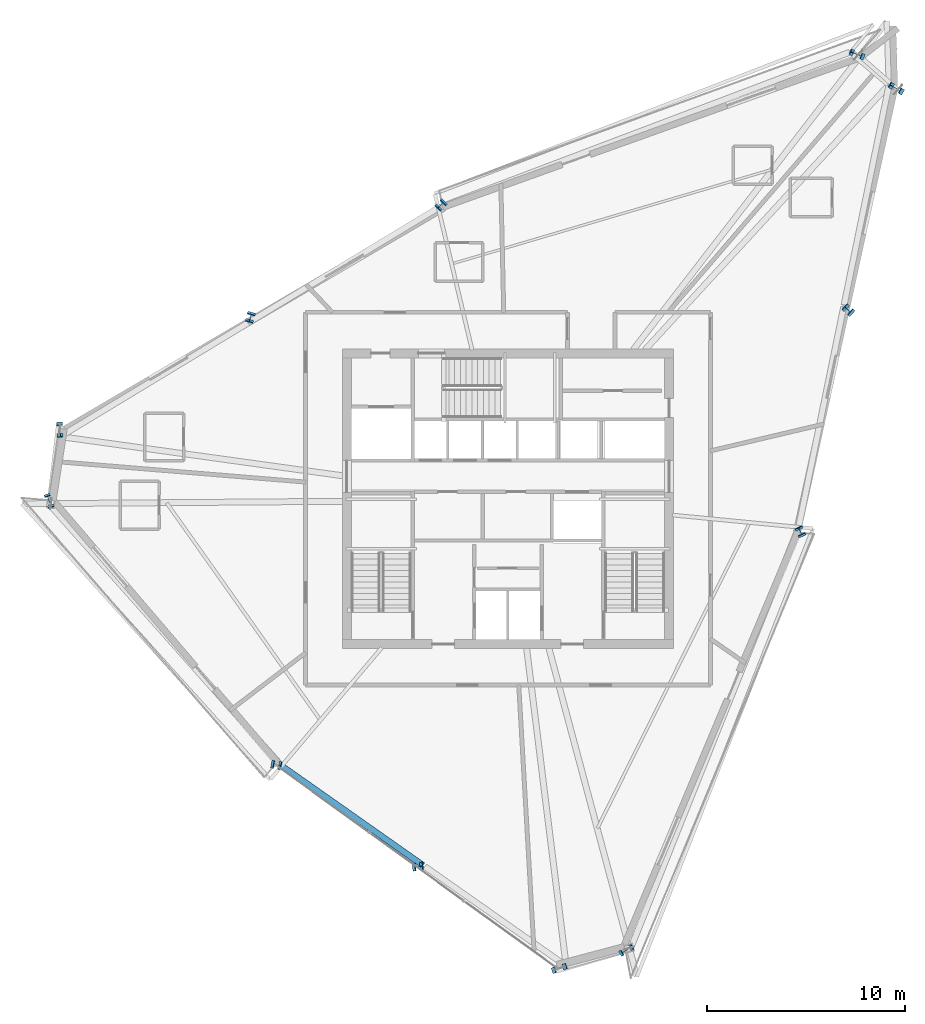
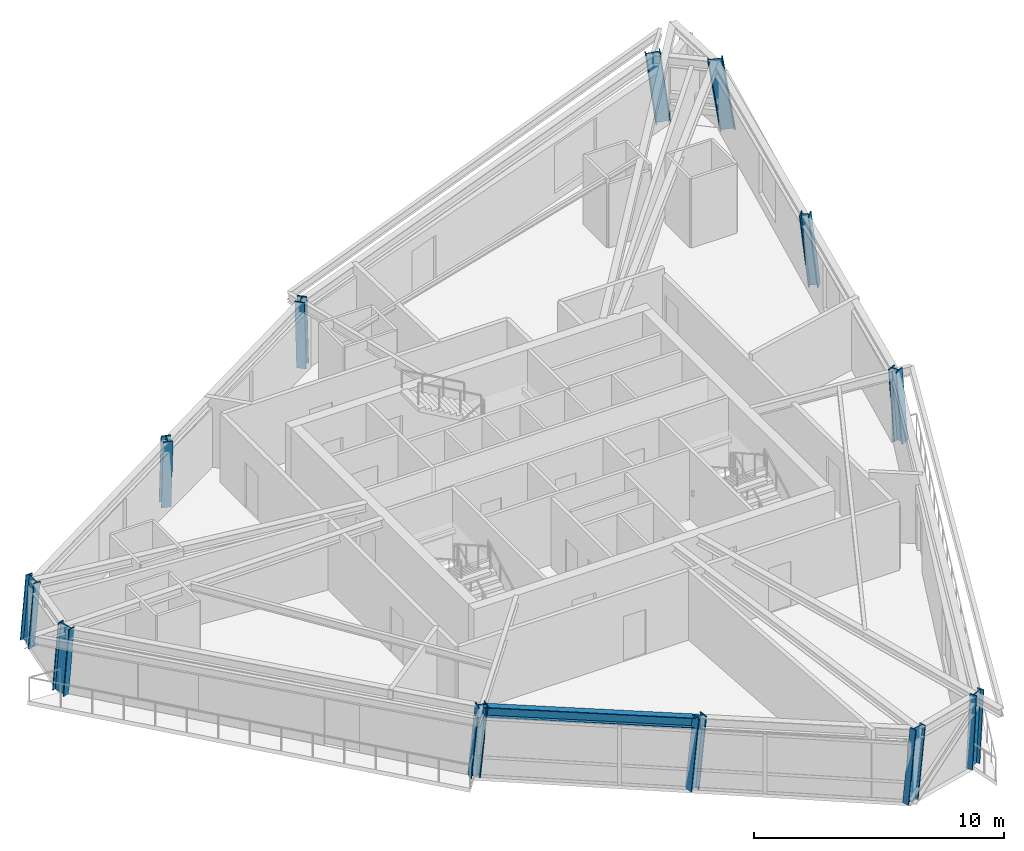
# One storey, part 1 of 14: 12 columns, 1 beam.
"""IFC4 building model written with IfcOpenShell, lengths in metres."""

from ifc_helpers import new_model, si_unit, direction, frame, origin, origin_2d, place, context, subcontext, project, spatial, i_section, extrude, source, transform, mapped, material, material_profile, profile_set, type_object, element, save


model = new_model("IFC4")

# Units and contexts
model_context = context("Model", 3, precision=1e-05, world=origin(), true_north=direction((0.0, 1.0)))
body_context = subcontext(model_context, "Body", "Model", "MODEL_VIEW")
ifc_project = project(units=[si_unit("LENGTHUNIT", "METRE"), si_unit("AREAUNIT", "SQUARE_METRE"), si_unit("VOLUMEUNIT", "CUBIC_METRE"), si_unit("PLANEANGLEUNIT", "RADIAN"), si_unit("MASSUNIT", "GRAM", prefix="KILO")], contexts=[model_context])

# Site, building, storey
site_placement = place(None, origin())
site = spatial("IfcSite", under=ifc_project, at=site_placement, CompositionType="ELEMENT")
building_placement = place(site_placement, origin())
building = spatial("IfcBuilding", under=site, at=building_placement, Name="Olszyna Solenne Hotel", CompositionType="ELEMENT")
storey_placement = place(building_placement, frame((0.0, 0.0, 234.5)))
storey = spatial("IfcBuildingStorey", under=building, at=storey_placement, Name="L62", CompositionType="ELEMENT", Elevation=234.5)

# Columns
ifc_material_1 = material(Name="Steel S460M", Category="steel")
ifc_material_profile_1 = material_profile(ifc_material_1, i_section(OverallWidth=0.304931640625, OverallDepth=0.6201171875, WebThickness=0.02099609375, FlangeThickness=0.0400390625, at=origin_2d()), Name="HEM 600", Category="load-bearing")
ifc_profile_set_1 = profile_set([ifc_material_profile_1], Name="Steel S460M")
column_type_1 = type_object("IfcColumnType", Name="COL-K3", PredefinedType="COLUMN", material=ifc_profile_set_1)
shared_shape_1 = source(origin(), body_context, "Body", "SweptSolid", [
    extrude(i_section(OverallWidth=0.304931640625, OverallDepth=0.6201171875, WebThickness=0.02099609375, FlangeThickness=0.0400390625, at=origin_2d()), origin(), (0.0, 0.0, 1.0), 3.4716796875),
])
column_1_placement = place(storey_placement, frame((57.652587890625, 47.23291015625, 0.0), z_axis=(-0.125805703613, 0.072150168757, 0.989427752838), x_axis=(-0.497496020718, -0.867466258347, 0.0)))
element("IfcColumn", 1, at=column_1_placement, inside=storey, type_object=column_type_1, Name="Perimeter framed-tube column COL-K3 C-L62-01", PredefinedType="COLUMN", context=body_context, shape_type="MappedRepresentation", body=[
    mapped(shared_shape_1, transform((0.0, 0.0, 0.0), x_axis=(1.0, 0.0, 0.0), y_axis=(0.0, 1.0, 0.0), z_axis=(0.0, 0.0, 1.0), scale=1.0)),
])
shared_shape_2 = source(origin(), body_context, "Body", "SweptSolid", [
    extrude(i_section(OverallWidth=0.304931640625, OverallDepth=0.6201171875, WebThickness=0.02099609375, FlangeThickness=0.0400390625, at=origin_2d()), origin(), (0.0, 0.0, 1.0), 3.46044921875),
])
column_2_placement = place(storey_placement, frame((55.6669921875, 48.973876953125, 0.0), z_axis=(-0.112317530713, 0.044941122528, 0.992655563527), x_axis=(-0.371491223958, -0.928436465528, 0.0)))
element("IfcColumn", 2, at=column_2_placement, inside=storey, type_object=column_type_1, Name="Perimeter framed-tube column COL-K3 C-L62-02", PredefinedType="COLUMN", context=body_context, shape_type="MappedRepresentation", body=[
    mapped(shared_shape_2, transform((0.0, 0.0, 0.0), x_axis=(1.0, 0.0, 0.0), y_axis=(0.0, 1.0, 0.0), z_axis=(0.0, 0.0, 1.0), scale=1.0)),
])
ifc_material_profile_2 = material_profile(ifc_material_1, i_section(OverallWidth=0.406005859375, OverallDepth=0.416015625, WebThickness=0.026611328125, FlangeThickness=0.04150390625, at=origin_2d()), Name="HD 400x382", Category="load-bearing")
ifc_profile_set_2 = profile_set([ifc_material_profile_2], Name="Steel S460M")
column_type_2 = type_object("IfcColumnType", Name="COL-T4", PredefinedType="COLUMN", material=ifc_profile_set_2)
shared_shape_3 = source(origin(), body_context, "Body", "SweptSolid", [
    extrude(i_section(OverallWidth=0.406005859375, OverallDepth=0.416015625, WebThickness=0.026611328125, FlangeThickness=0.04150390625, at=origin_2d()), origin(), (0.0, 0.0, 1.0), 3.44580078125),
])
column_3_placement = place(storey_placement, frame((34.656982421875, 41.44580078125, 0.0), z_axis=(-0.055618943406, -0.055831499877, 0.996889851867), x_axis=(0.708454075285, -0.7057569151, 0.0)))
element("IfcColumn", 3, at=column_3_placement, inside=storey, type_object=column_type_2, Name="Perimeter framed-tube column COL-T4 C-L62-03", PredefinedType="COLUMN", context=body_context, shape_type="MappedRepresentation", body=[
    mapped(shared_shape_3, transform((0.0, 0.0, 0.0), x_axis=(1.0, 0.0, 0.0), y_axis=(0.0, 1.0, 0.0), z_axis=(0.0, 0.0, 1.0), scale=1.0)),
])
shared_shape_4 = source(origin(), body_context, "Body", "SweptSolid", [
    extrude(i_section(OverallWidth=0.406005859375, OverallDepth=0.416015625, WebThickness=0.026611328125, FlangeThickness=0.04150390625, at=origin_2d()), origin(), (0.0, 0.0, 1.0), 3.44970703125),
])
column_4_placement = place(storey_placement, frame((25.031494140625, 35.7998046875, 0.0), z_axis=(-0.024769494454, -0.088887100096, 0.995733677035), x_axis=(0.963297826422, -0.26843490386, 0.0)))
element("IfcColumn", 4, at=column_4_placement, inside=storey, type_object=column_type_2, Name="Perimeter framed-tube column COL-T4 C-L62-04", PredefinedType="COLUMN", context=body_context, shape_type="MappedRepresentation", body=[
    mapped(shared_shape_4, transform((0.0, 0.0, 0.0), x_axis=(1.0, 0.0, 0.0), y_axis=(0.0, 1.0, 0.0), z_axis=(0.0, 0.0, 1.0), scale=1.0)),
])
shared_shape_5 = source(origin(), body_context, "Body", "SweptSolid", [
    extrude(i_section(OverallWidth=0.304931640625, OverallDepth=0.6201171875, WebThickness=0.02099609375, FlangeThickness=0.0400390625, at=origin_2d()), origin(), (0.0, 0.0, 1.0), 3.4609375),
])
column_5_placement = place(storey_placement, frame((15.406005859375, 30.154052734375, 0.0), z_axis=(0.005925625023, -0.121757485595, 0.99254219138), x_axis=(0.998817839746, 0.048609906453, 0.0)))
element("IfcColumn", 5, at=column_5_placement, inside=storey, type_object=column_type_1, Name="Perimeter framed-tube column COL-K3 C-L62-05", PredefinedType="COLUMN", context=body_context, shape_type="MappedRepresentation", body=[
    mapped(shared_shape_5, transform((0.0, 0.0, 0.0), x_axis=(1.0, 0.0, 0.0), y_axis=(0.0, 1.0, 0.0), z_axis=(0.0, 0.0, 1.0), scale=1.0)),
])
shared_shape_6 = source(origin(), body_context, "Body", "SweptSolid", [
    extrude(i_section(OverallWidth=0.304931640625, OverallDepth=0.6201171875, WebThickness=0.02099609375, FlangeThickness=0.0400390625, at=origin_2d()), origin(), (0.0, 0.0, 1.0), 3.448974609375),
])
column_6_placement = place(storey_placement, frame((14.846435546875, 26.537353515625, 0.0), z_axis=(0.027818617963, -0.085508627226, 0.995948994259), x_axis=(0.950941466299, 0.309370857827, 0.0)))
element("IfcColumn", 6, at=column_6_placement, inside=storey, type_object=column_type_1, Name="Perimeter framed-tube column COL-K3 C-L62-06", PredefinedType="COLUMN", context=body_context, shape_type="MappedRepresentation", body=[
    mapped(shared_shape_6, transform((0.0, 0.0, 0.0), x_axis=(1.0, 0.0, 0.0), y_axis=(0.0, 1.0, 0.0), z_axis=(0.0, 0.0, 1.0), scale=1.0)),
])
shared_shape_7 = source(origin(), body_context, "Body", "SweptSolid", [
    extrude(i_section(OverallWidth=0.406005859375, OverallDepth=0.416015625, WebThickness=0.026611328125, FlangeThickness=0.04150390625, at=origin_2d()), origin(), (0.0, 0.0, 1.0), 3.4501953125),
])
column_7_placement = place(storey_placement, frame((26.271240234375, 13.189697265625, 0.0), z_axis=(0.092200505272, -0.016982441493, 0.995595632528), x_axis=(0.181143219121, 0.983456727145, 0.0)))
element("IfcColumn", 7, at=column_7_placement, inside=storey, type_object=column_type_2, Name="Perimeter framed-tube column COL-T4 C-L62-07", PredefinedType="COLUMN", context=body_context, shape_type="MappedRepresentation", body=[
    mapped(shared_shape_7, transform((0.0, 0.0, 0.0), x_axis=(1.0, 0.0, 0.0), y_axis=(0.0, 1.0, 0.0), z_axis=(0.0, 0.0, 1.0), scale=1.0)),
])
shared_shape_8 = source(origin(), body_context, "Body", "SweptSolid", [
    extrude(i_section(OverallWidth=0.406005859375, OverallDepth=0.416015625, WebThickness=0.026611328125, FlangeThickness=0.04150390625, at=origin_2d()), origin(), (0.0, 0.0, 1.0), 3.455322265625),
])
for number, where, z_axis, x_axis, name in (
    (8, (33.390869140625, 8.043701171875, 0.0), (0.107537422791, 0.012647305309, 0.994120590456), (-0.116803387212, 0.993155057751, 0.0), "Perimeter framed-tube column COL-T4 C-L62-08"),
    (9, (55.208984375, 36.0625, 0.0), (-0.079842257415, 0.072847227783, 0.994142090113), (-0.674005803271, -0.738726050141, 0.0), "Perimeter framed-tube column COL-T4 C-L62-12"),
):
    element("IfcColumn", number, at=place(storey_placement, frame(where, z_axis=z_axis, x_axis=x_axis)), inside=storey, type_object=column_type_2, Name=name, PredefinedType="COLUMN", context=body_context, shape_type="MappedRepresentation", body=[
        mapped(shared_shape_8, transform((0.0, 0.0, 0.0), x_axis=(1.0, 0.0, 0.0), y_axis=(0.0, 1.0, 0.0), z_axis=(0.0, 0.0, 1.0), scale=1.0)),
    ])
shared_shape_9 = source(origin(), body_context, "Body", "SweptSolid", [
    extrude(i_section(OverallWidth=0.304931640625, OverallDepth=0.6201171875, WebThickness=0.02099609375, FlangeThickness=0.0400390625, at=origin_2d()), origin(), (0.0, 0.0, 1.0), 3.46435546875),
])
column_8_placement = place(storey_placement, frame((40.510498046875, 2.897705078125, 0.0), z_axis=(0.122692438195, 0.042212964089, 0.991546585528), x_axis=(-0.32533780478, 0.945597859971, 0.0)))
element("IfcColumn", 10, at=column_8_placement, inside=storey, type_object=column_type_1, Name="Perimeter framed-tube column COL-K3 C-L62-09", PredefinedType="COLUMN", context=body_context, shape_type="MappedRepresentation", body=[
    mapped(shared_shape_9, transform((0.0, 0.0, 0.0), x_axis=(1.0, 0.0, 0.0), y_axis=(0.0, 1.0, 0.0), z_axis=(0.0, 0.0, 1.0), scale=1.0)),
])
shared_shape_10 = source(origin(), body_context, "Body", "SweptSolid", [
    extrude(i_section(OverallWidth=0.304931640625, OverallDepth=0.6201171875, WebThickness=0.02099609375, FlangeThickness=0.0400390625, at=origin_2d()), origin(), (0.0, 0.0, 1.0), 3.45068359375),
])
column_9_placement = place(storey_placement, frame((43.91748046875, 3.80419921875, 0.0), z_axis=(0.082284317095, 0.047474442623, 0.995477507761), x_axis=(-0.499743945175, 0.866173186644, 0.0)))
element("IfcColumn", 11, at=column_9_placement, inside=storey, type_object=column_type_1, Name="Perimeter framed-tube column COL-K3 C-L62-10", PredefinedType="COLUMN", context=body_context, shape_type="MappedRepresentation", body=[
    mapped(shared_shape_10, transform((0.0, 0.0, 0.0), x_axis=(1.0, 0.0, 0.0), y_axis=(0.0, 1.0, 0.0), z_axis=(0.0, 0.0, 1.0), scale=1.0)),
])
shared_shape_11 = source(origin(), body_context, "Body", "SweptSolid", [
    extrude(i_section(OverallWidth=0.406005859375, OverallDepth=0.416015625, WebThickness=0.026611328125, FlangeThickness=0.04150390625, at=origin_2d()), origin(), (0.0, 0.0, 1.0), 3.4462890625),
])
column_10_placement = place(storey_placement, frame((52.765380859375, 24.89208984375, 0.0), z_axis=(-0.033366511552, 0.073392157045, 0.996744835548), x_axis=(-0.910336382484, -0.413869146863, 0.0)))
element("IfcColumn", 12, at=column_10_placement, inside=storey, type_object=column_type_2, Name="Perimeter framed-tube column COL-T4 C-L62-11", PredefinedType="COLUMN", context=body_context, shape_type="MappedRepresentation", body=[
    mapped(shared_shape_11, transform((0.0, 0.0, 0.0), x_axis=(1.0, 0.0, 0.0), y_axis=(0.0, 1.0, 0.0), z_axis=(0.0, 0.0, 1.0), scale=1.0)),
])

# Beam
ifc_material_2 = material(Name="Steel S355J2", Category="steel")
ifc_material_profile_3 = material_profile(ifc_material_2, i_section(OverallWidth=0.300048828125, OverallDepth=0.5, WebThickness=0.014404296875, FlangeThickness=0.028076171875, at=origin_2d()), Name="HEB 500", Category="load-bearing")
ifc_profile_set_3 = profile_set([ifc_material_profile_3], Name="Steel S355J2")
beam_type = type_object("IfcBeamType", Name="BM-S3", PredefinedType="BEAM", material=ifc_profile_set_3)
shared_shape_12 = source(origin(), body_context, "Body", "SweptSolid", [
    extrude(i_section(OverallWidth=0.300048828125, OverallDepth=0.5, WebThickness=0.014404296875, FlangeThickness=0.028076171875, at=origin_2d()), origin(), (0.0, 0.0, 1.0), 8.648681640625),
])
beam_placement = place(storey_placement, frame((26.638427734375, 13.096435546875, 3.1298828125), z_axis=(0.818040572393, -0.575160518393, 0.0), x_axis=(0.575160518393, 0.818040572393, 0.0)))
element("IfcBeam", 13, at=beam_placement, inside=storey, type_object=beam_type, Name="Perimeter spandrel beam BM-S3 B-L62-1831", PredefinedType="BEAM", context=body_context, shape_type="MappedRepresentation", body=[
    mapped(shared_shape_12, transform((0.0, 0.0, 0.0), x_axis=(1.0, 0.0, 0.0), y_axis=(0.0, 1.0, 0.0), z_axis=(0.0, 0.0, 1.0), scale=1.0)),
])

save(model, "model.ifc")
